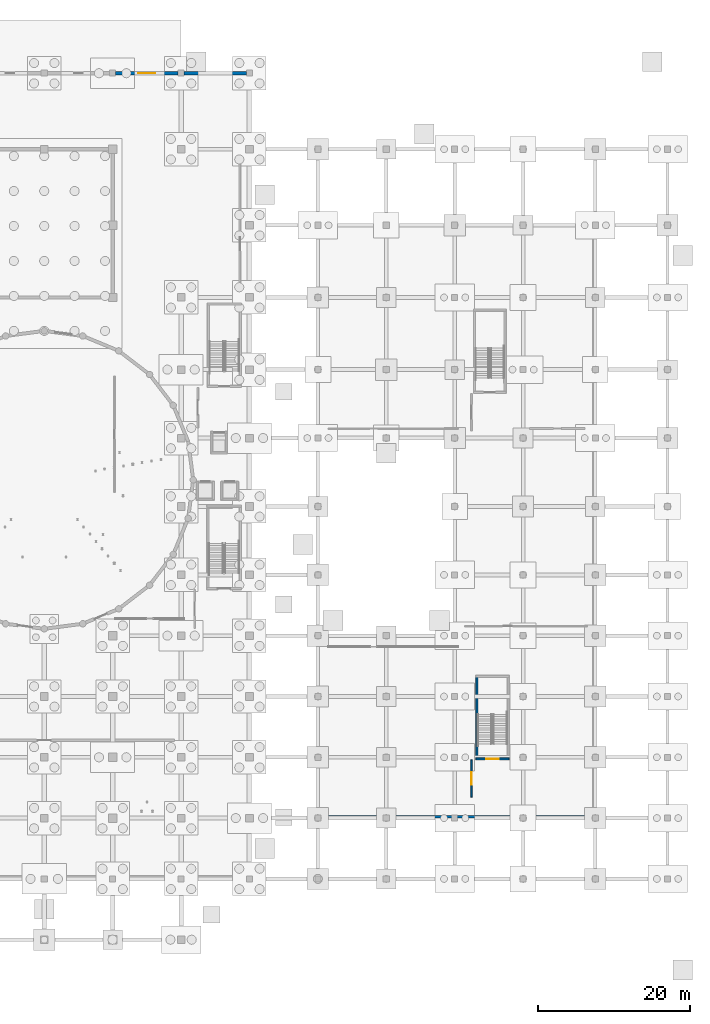
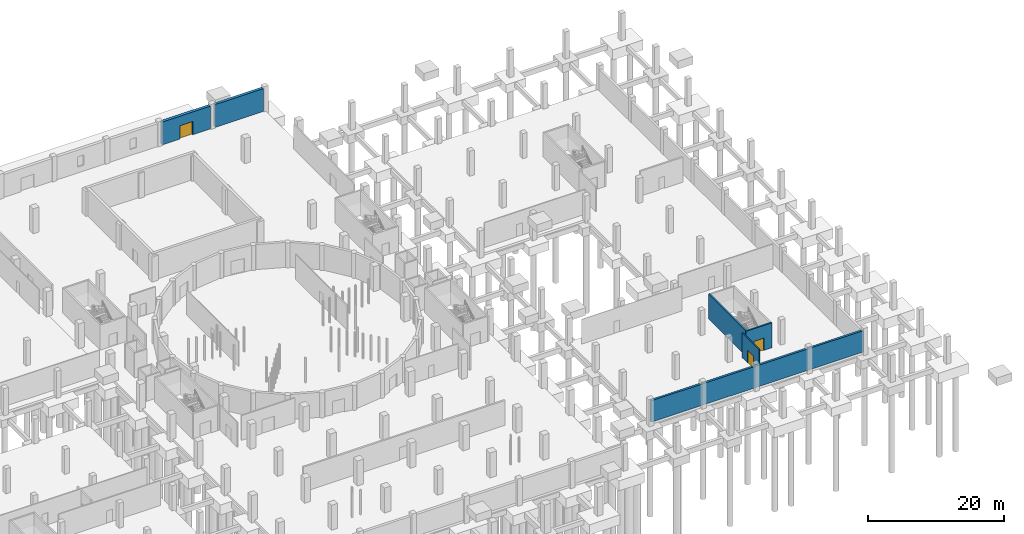
# One storey, part 31 of 40: 6 walls, 3 doors, 3 openings.
"""IFC4 building model written with IfcOpenShell, lengths in metres."""

from ifc_helpers import new_model, si_unit, direction, frame, frame_2d, origin, place, context, subcontext, project, spatial, rectangle, extrude, material, layer, layer_set, type_object, element, fill, save


model = new_model("IFC4")

# Units and contexts
model_context = context("Model", 3, precision=1e-05, world=origin(), true_north=direction((0.0, 1.0)))
body_context = subcontext(model_context, "Body", "Model", "MODEL_VIEW")
ifc_project = project(units=[si_unit("LENGTHUNIT", "METRE"), si_unit("AREAUNIT", "SQUARE_METRE"), si_unit("VOLUMEUNIT", "CUBIC_METRE"), si_unit("PLANEANGLEUNIT", "RADIAN"), si_unit("MASSUNIT", "GRAM", prefix="KILO")], contexts=[model_context])

# Site, building, storey
site_placement = place(None, origin())
site = spatial("IfcSite", under=ifc_project, at=site_placement, CompositionType="ELEMENT")
building_placement = place(site_placement, origin())
building = spatial("IfcBuilding", under=site, at=building_placement, Name="Marnock Terrace Opera House", CompositionType="ELEMENT")
storey_placement = place(building_placement, frame((0.0, 0.0, -4.800048828125)))
storey = spatial("IfcBuildingStorey", under=building, at=storey_placement, Name="B1", CompositionType="ELEMENT", Elevation=-4.800048828125)

# Wall, opening, door
ifc_material_1 = material(Name="Carey Gully rusticated stone masonry", Category="masonry")
ifc_layer_1 = layer(ifc_material_1, 0.47998046875)
ifc_layer_set_1 = layer_set([ifc_layer_1], Name="Carey Gully rusticated stone masonry")
wall_type_1 = type_object("IfcWallType", Name="EW-BASE-480", PredefinedType="SOLIDWALL", material=ifc_layer_set_1)
wall_1_placement = place(storey_placement, frame((91.39599609375, 114.0, 0.0), z_axis=(0.0, 0.0, 1.0), x_axis=(1.0, 0.0, 0.0)))
wall_1 = element("IfcWall", 1, at=wall_1_placement, inside=storey, type_object=wall_type_1, Name="B1 North Parklands walk-out promenade wall 5", PredefinedType="SOLIDWALL", context=body_context, shape_type="SweptSolid", body=[
    extrude(rectangle(XDim=8.2080078125, YDim=0.47998046875, at=frame_2d((4.10400390625, 0.0))), origin(), (0.0, 0.0, 1.0), 4.111328125),
])
opening_1_placement = place(wall_1_placement, frame((3.00390625, 0.0, 0.0)))
opening_1 = element("IfcOpeningElement", 2, at=opening_1_placement, cuts=wall_1, Name="Opening ED-18", PredefinedType="OPENING", context=body_context, shape_type="SweptSolid", body=[
    extrude(rectangle(XDim=2.199951171875, YDim=2.39990234375, at=frame_2d((1.10009765625, 1.199951171875))), frame((0.0, 0.25, 0.0), z_axis=(0.0, -1.0, 0.0), x_axis=(1.0, 0.0, 0.0)), (0.0, 0.0, 1.0), 0.5),
])
ifc_material_2 = material(Name="Anodised architectural bronze aluminium framing", Category="aluminium")
door_type_1 = type_object("IfcDoorType", Name="DT-EXIT-2200", OperationType="NOTDEFINED", PredefinedType="DOOR", material=ifc_material_2)
door_1_placement = place(opening_1_placement, origin())
door_1 = element("IfcDoor", 3, at=door_1_placement, inside=storey, type_object=door_type_1, Name="Exterior door ED-18", OperationType="DOUBLE_DOOR_SINGLE_SWING", OverallHeight=2.39990234375, OverallWidth=2.199951171875, PredefinedType="DOOR", context=body_context, shape_type="SweptSolid", body=[
    extrude(rectangle(XDim=2.199951171875, YDim=2.39990234375, at=frame_2d((1.10009765625, 1.199951171875))), frame((0.0, 0.02490234375, 0.0), z_axis=(0.0, -1.0, 0.0), x_axis=(1.0, 0.0, 0.0)), (0.0, 0.0, 1.0), 0.050048828125),
])
fill(opening_1, door_1)

# Wall
wall_2_placement = place(storey_placement, frame((100.39599609375, 114.0, 0.0), z_axis=(0.0, 0.0, 1.0), x_axis=(1.0, 0.0, 0.0)))
element("IfcWall", 4, at=wall_2_placement, inside=storey, type_object=wall_type_1, Name="B1 North Parklands walk-out promenade wall 6", PredefinedType="SOLIDWALL", context=body_context, shape_type="SweptSolid", body=[
    extrude(rectangle(XDim=8.2080078125, YDim=0.47998046875, at=frame_2d((4.10400390625, 0.0))), origin(), (0.0, 0.0, 1.0), 4.111328125),
])

# Wall, opening, door
ifc_material_3 = material(Name="Rendered acoustic concrete blockwork", Category="masonry")
ifc_layer_2 = layer(ifc_material_3, 0.18505859375)
ifc_layer_set_2 = layer_set([ifc_layer_2], Name="Rendered acoustic concrete blockwork")
wall_type_2 = type_object("IfcWallType", Name="IW-FIRE-185", PredefinedType="PARTITIONING", material=ifc_layer_set_2)
wall_3_placement = place(storey_placement, frame((138.199951171875, 18.75, 0.0), z_axis=(0.0, 0.0, 1.0), x_axis=(0.0, 1.0, 0.0)))
wall_3 = element("IfcWall", 5, at=wall_3_placement, inside=storey, type_object=wall_type_2, Name="B1 C6 fire-rated lift and stair lobby wall", PredefinedType="PARTITIONING", context=body_context, shape_type="SweptSolid", body=[
    extrude(rectangle(XDim=4.89990234375, YDim=0.18505859375, at=frame_2d((2.449951171875, 0.0))), origin(), (0.0, 0.0, 1.0), 4.449951171875),
])
opening_2_placement = place(wall_3_placement, frame((1.610107421875, 0.0, 0.0)))
opening_2 = element("IfcOpeningElement", 6, at=opening_2_placement, cuts=wall_3, Name="Opening FD-C6-B1", PredefinedType="OPENING", context=body_context, shape_type="SweptSolid", body=[
    extrude(rectangle(XDim=1.679931640625, YDim=2.25, at=frame_2d((0.83984375, 1.125))), frame((0.0, 0.1025390625, 0.0), z_axis=(0.0, -1.0, 0.0), x_axis=(1.0, 0.0, 0.0)), (0.0, 0.0, 1.0), 0.205078125),
])
ifc_material_4 = material(Name="Fire-rated acoustic timber-core door assembly", Category="wood")
door_type_2 = type_object("IfcDoorType", Name="DT-LOBBY-1680", OperationType="NOTDEFINED", PredefinedType="DOOR", material=ifc_material_4)
door_2_placement = place(opening_2_placement, origin())
door_2 = element("IfcDoor", 7, at=door_2_placement, inside=storey, type_object=door_type_2, Name="B1 C6 lobby self-closing smoke door", OperationType="SINGLE_SWING_RIGHT", OverallHeight=2.25, OverallWidth=1.679931640625, PredefinedType="DOOR", context=body_context, shape_type="SweptSolid", body=[
    extrude(rectangle(XDim=1.679931640625, YDim=2.25, at=frame_2d((0.83984375, 1.125))), frame((0.0, 0.02490234375, 0.0), z_axis=(0.0, -1.0, 0.0), x_axis=(1.0, 0.0, 0.0)), (0.0, 0.0, 1.0), 0.050048828125),
])
fill(opening_2, door_2)

ifc_material_5 = material(Name="Concrete N40 (f'c = 40 MPa)", Category="concrete")
ifc_layer_3 = layer(ifc_material_5, 0.25)
ifc_layer_set_3 = layer_set([ifc_layer_3], Name="Concrete N40 (f'c = 40 MPa)")
wall_type_3 = type_object("IfcWallType", Name="SW-CORE-250", PredefinedType="SHEAR", material=ifc_layer_set_3)
wall_4_placement = place(storey_placement, frame((138.794921875, 23.800048828125, 0.0), z_axis=(0.0, 0.0, 1.0), x_axis=(1.0, 0.0, 0.0)))
wall_4 = element("IfcWall", 8, at=wall_4_placement, inside=storey, type_object=wall_type_3, Name="B1 Core C6 FRL 120/120/120 shear wall S", PredefinedType="SHEAR", context=body_context, shape_type="SweptSolid", body=[
    extrude(rectangle(XDim=4.3701171875, YDim=0.25, at=frame_2d((2.18505859375, 0.0))), origin(), (0.0, 0.0, 1.0), 4.5),
])
opening_3_placement = place(wall_4_placement, frame((1.360107421875, 0.0, 0.0)))
opening_3 = element("IfcOpeningElement", 9, at=opening_3_placement, cuts=wall_4, Name="Opening SD-C6-B1", PredefinedType="OPENING", context=body_context, shape_type="SweptSolid", body=[
    extrude(rectangle(XDim=1.64990234375, YDim=2.219970703125, at=frame_2d((0.824951171875, 1.10986328125))), frame((0.0, 0.135009765625, 0.0), z_axis=(0.0, -1.0, 0.0), x_axis=(1.0, 0.0, 0.0)), (0.0, 0.0, 1.0), 0.27001953125),
])
door_type_3 = type_object("IfcDoorType", Name="DT-STAIR-1650", OperationType="NOTDEFINED", PredefinedType="DOOR", material=ifc_material_4)
door_3_placement = place(opening_3_placement, origin())
door_3 = element("IfcDoor", 10, at=door_3_placement, inside=storey, type_object=door_type_3, Name="B1 Stair ST-06 fire-isolated exit door", OperationType="SINGLE_SWING_LEFT", OverallHeight=2.219970703125, OverallWidth=1.64990234375, PredefinedType="DOOR", context=body_context, shape_type="SweptSolid", body=[
    extrude(rectangle(XDim=1.64990234375, YDim=2.219970703125, at=frame_2d((0.824951171875, 1.10986328125))), frame((0.0, 0.02490234375, 0.0), z_axis=(0.0, -1.0, 0.0), x_axis=(1.0, 0.0, 0.0)), (0.0, 0.0, 1.0), 0.050048828125),
])
fill(opening_3, door_3)

# Walls
wall_5_placement = place(storey_placement, frame((138.919921875, 23.675048828125, 0.0), z_axis=(0.0, 0.0, 1.0), x_axis=(0.0, 1.0, 0.0)))
element("IfcWall", 11, at=wall_5_placement, inside=storey, type_object=wall_type_3, Name="B1 Core C6 FRL 120/120/120 shear wall W", PredefinedType="SHEAR", context=body_context, shape_type="SweptSolid", body=[
    extrude(rectangle(XDim=11.08984375, YDim=0.25, at=frame_2d((5.544921875, 0.0))), origin(), (0.0, 0.0, 1.0), 4.5),
])
ifc_layer_4 = layer(ifc_material_5, 0.360107421875)
ifc_layer_set_4 = layer_set([ifc_layer_4], Name="Concrete N40 (f'c = 40 MPa)")
wall_type_4 = type_object("IfcWallType", Name="SW-RET-360", PredefinedType="USERDEFINED", material=ifc_layer_set_4)
wall_6_placement = place(storey_placement, frame((118.179931640625, 16.179931640625, 0.0), z_axis=(0.0, 0.0, 1.0), x_axis=(1.0, 0.0, 0.0)))
element("IfcWall", 12, at=wall_6_placement, inside=storey, type_object=wall_type_4, Name="Basement B1 perimeter retaining wall RW-B1-S3", ObjectType="RETAINING WALL", PredefinedType="USERDEFINED", context=body_context, shape_type="SweptSolid", body=[
    extrude(rectangle(XDim=36.14013671875, YDim=0.360107421875, at=frame_2d((18.070068359375, 0.0))), origin(), (0.0, 0.0, 1.0), 3.85009765625),
])

save(model, "model.ifc")
